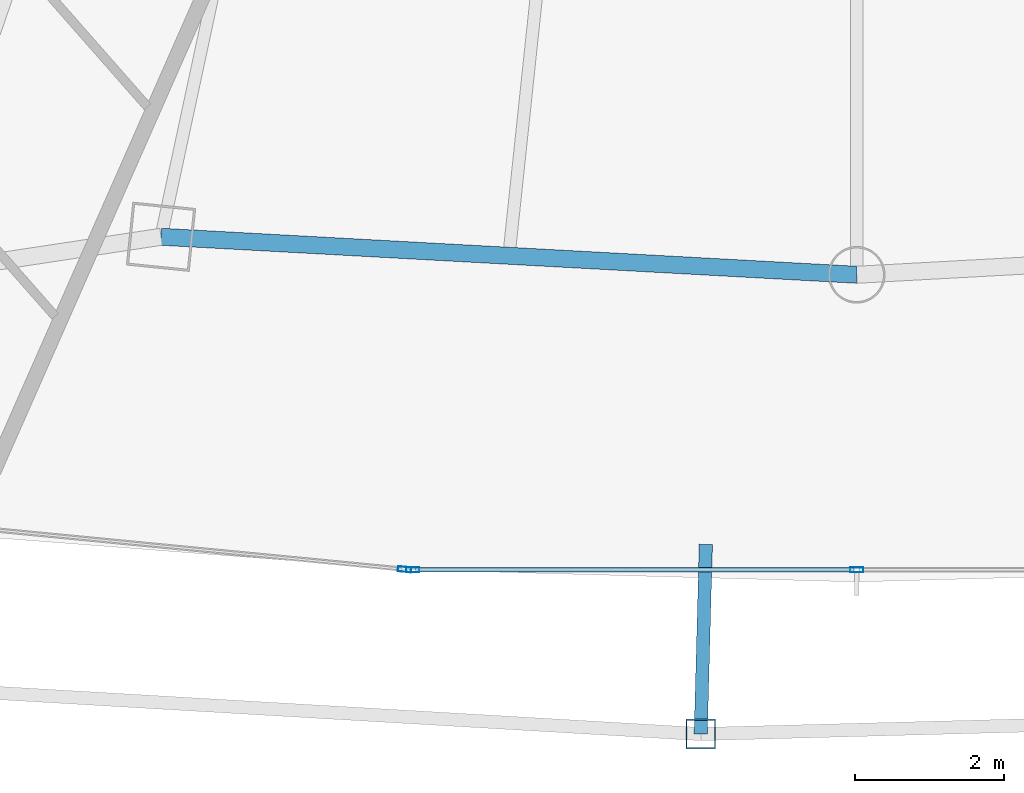
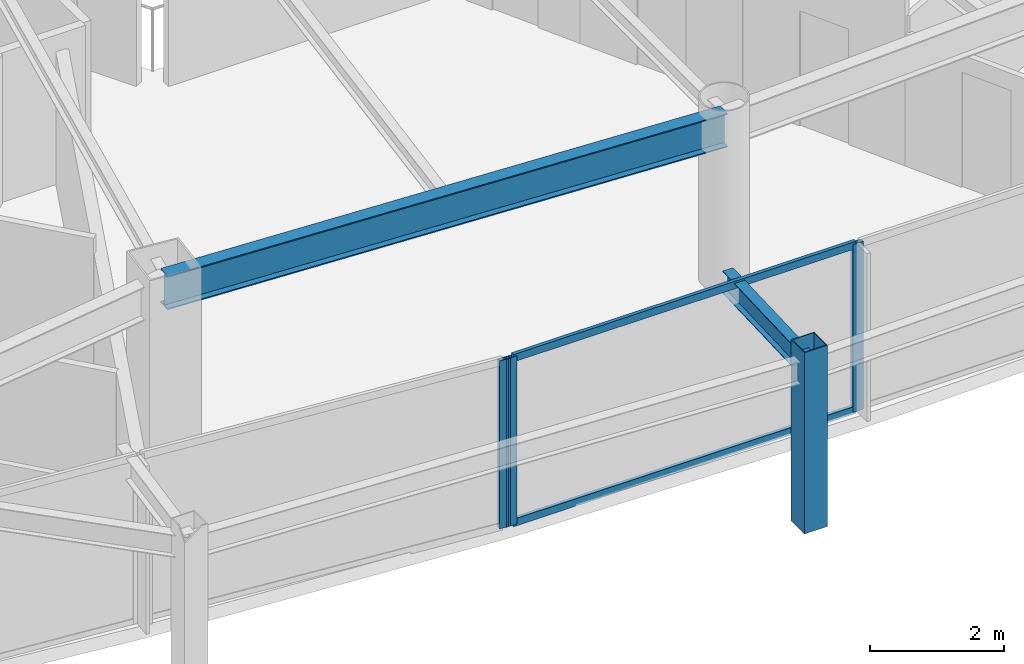
# One storey, part 7 of 31: 6 members, 2 beams, 2 elements without a shape of their own.
"""IFC4 building model written with IfcOpenShell, lengths in metres."""

from ifc_helpers import new_model, si_unit, direction, frame, origin, origin_2d, place, context, subcontext, project, spatial, hollow_rectangle, i_section, extrude, material, layer, layer_set, material_profile, profile_set, type_object, element, aggregate, save


model = new_model("IFC4")

# Units and contexts
model_context = context("Model", 3, precision=1e-05, world=origin(), true_north=direction((0.0, 1.0)))
body_context = subcontext(model_context, "Body", "Model", "MODEL_VIEW")
ifc_project = project(units=[si_unit("LENGTHUNIT", "METRE"), si_unit("AREAUNIT", "SQUARE_METRE"), si_unit("VOLUMEUNIT", "CUBIC_METRE"), si_unit("PLANEANGLEUNIT", "RADIAN"), si_unit("MASSUNIT", "GRAM", prefix="KILO")], contexts=[model_context])

# Site, building, storey
site_placement = place(None, origin())
site = spatial("IfcSite", under=ifc_project, at=site_placement, CompositionType="ELEMENT")
building_placement = place(site_placement, origin())
building = spatial("IfcBuilding", under=site, at=building_placement, Name="Orvanel Arch Residences", CompositionType="ELEMENT")
storey_placement = place(building_placement, frame((0.0, 0.0, 110.0)))
storey = spatial("IfcBuildingStorey", under=building, at=storey_placement, Name="L30", CompositionType="ELEMENT", Elevation=110.0)

# Curtain wall, member
ifc_material_1 = material(Name="Bronze-anodised aluminium AA6063-T6", Category="aluminium")
ifc_layer = layer(ifc_material_1, 0.179931640625)
ifc_layer_set = layer_set([ifc_layer], Name="Bronze-anodised aluminium AA6063-T6")
curtain_wall_type = type_object("IfcCurtainWallType", Name="CW3-MID-SYS", PredefinedType="NOTDEFINED", material=ifc_layer_set)
curtain_wall_1_placement = place(storey_placement, origin())
curtain_wall_1 = element("IfcCurtainWall", 1, at=curtain_wall_1_placement, inside=storey, type_object=curtain_wall_type, Name="L30 CW3-MID-SYS Unitised Curtain Wall", PredefinedType="NOTDEFINED")
ifc_material_profile_1 = material_profile(ifc_material_1, hollow_rectangle(XDim=0.070068359375, YDim=0.179931640625, WallThickness=0.00439453125, at=origin_2d()), Name="ALU180x70x4.5")
ifc_profile_set_1 = profile_set([ifc_material_profile_1], Name="Bronze-anodised aluminium AA6063-T6")
member_type_1 = type_object("IfcMemberType", Name="MUL-180x70", PredefinedType="MULLION", material=ifc_profile_set_1)
member_1_placement = place(storey_placement, frame((26.922119140625, 2.88427734375, 0.0), z_axis=(0.0, 0.0, 1.0), x_axis=(0.095998315385, 0.995381496434, 0.0)))
member_1 = element("IfcMember", 2, at=member_1_placement, type_object=member_type_1, Name="CW-S3 mullion 3", PredefinedType="MULLION", context=body_context, shape_type="SweptSolid", body=[
    extrude(hollow_rectangle(XDim=0.070068359375, YDim=0.179931640625, WallThickness=0.00439453125, at=origin_2d()), origin(), (0.0, 0.0, 1.0), 3.06005859375),
])
aggregate(curtain_wall_1, [member_1])

# Curtain wall, members
curtain_wall_2_placement = place(storey_placement, origin())
curtain_wall_2 = element("IfcCurtainWall", 3, at=curtain_wall_2_placement, inside=storey, type_object=curtain_wall_type, Name="L30 CW3-MID-SYS Unitised Curtain Wall", PredefinedType="NOTDEFINED")
member_2_placement = place(storey_placement, frame((27.031982421875, 2.87890625, 0.0), z_axis=(0.0, 0.0, 1.0), x_axis=(0.0, 1.0, 0.0)))
member_2 = element("IfcMember", 4, at=member_2_placement, type_object=member_type_1, Name="CW-S3 mullion 1", PredefinedType="MULLION", context=body_context, shape_type="SweptSolid", body=[
    extrude(hollow_rectangle(XDim=0.070068359375, YDim=0.179931640625, WallThickness=0.00439453125, at=origin_2d()), origin(), (0.0, 0.0, 1.0), 3.06005859375),
])
member_3_placement = place(storey_placement, frame((33.0, 2.87890625, 0.0), z_axis=(0.0, 0.0, 1.0), x_axis=(0.0, 1.0, 0.0)))
member_3 = element("IfcMember", 5, at=member_3_placement, type_object=member_type_1, Name="CW-S3 mullion 2", PredefinedType="MULLION", context=body_context, shape_type="SweptSolid", body=[
    extrude(hollow_rectangle(XDim=0.070068359375, YDim=0.179931640625, WallThickness=0.00439453125, at=origin_2d()), origin(), (0.0, 0.0, 1.0), 3.06005859375),
])

# Beams
ifc_material_2 = material(Name="Structural steel AS/NZS 3679.1 Grade 300 (300 MPa)", Category="steel")
ifc_material_profile_2 = material_profile(ifc_material_2, i_section(OverallWidth=0.177978515625, OverallDepth=0.406005859375, WebThickness=0.0078125, FlangeThickness=0.0126953125, at=origin_2d()), Name="410UB59.7")
ifc_profile_set_2 = profile_set([ifc_material_profile_2], Name="Structural steel AS/NZS 3679.1 Grade 300 (300 MPa)")
beam_type_1 = type_object("IfcBeamType", Name="OB-410UB-EXT", PredefinedType="SPANDREL", material=ifc_profile_set_2)
beam_1_placement = place(storey_placement, frame((30.971923828125, 3.219970703125, 2.85693359375), z_axis=(-0.026999061336, -0.999635458898, 0.0), x_axis=(0.999635458898, -0.026999061336, 0.0)))
element("IfcBeam", 6, at=beam_1_placement, inside=storey, type_object=beam_type_1, Name="L30 Outer Frame Radial Tie Beam 06", PredefinedType="SPANDREL", context=body_context, shape_type="SweptSolid", body=[
    extrude(i_section(OverallWidth=0.177978515625, OverallDepth=0.406005859375, WebThickness=0.0078125, FlangeThickness=0.0126953125, at=origin_2d()), origin(), (0.0, 0.0, 1.0), 2.550048828125),
])
ifc_material_profile_3 = material_profile(ifc_material_2, i_section(OverallWidth=0.22900390625, OverallDepth=0.612060546875, WebThickness=0.011962890625, FlangeThickness=0.01953125, at=origin_2d()), Name="610UB125")
ifc_profile_set_3 = profile_set([ifc_material_profile_3], Name="Structural steel AS/NZS 3679.1 Grade 300 (300 MPa)")
beam_type_2 = type_object("IfcBeamType", Name="SP-610UB", PredefinedType="SPANDREL", material=ifc_profile_set_3)
beam_2_placement = place(storey_placement, frame((23.64892578125, 7.35498046875, 2.75390625), z_axis=(0.998510315598, -0.054563262768, 0.0), x_axis=(0.054563262768, 0.998510315598, 0.0)))
element("IfcBeam", 7, at=beam_2_placement, inside=storey, type_object=beam_type_2, Name="L30 Perimeter Spandrel Beam 05", PredefinedType="SPANDREL", context=body_context, shape_type="SweptSolid", body=[
    extrude(i_section(OverallWidth=0.22900390625, OverallDepth=0.612060546875, WebThickness=0.011962890625, FlangeThickness=0.01953125, at=origin_2d()), origin(), (0.0, 0.0, 1.0), 9.364990234375),
])

# Member
ifc_material_3 = material(Name="Structural steel AS/NZS 1163 C450L0 (Grade 450)", Category="steel")
ifc_material_profile_4 = material_profile(ifc_material_3, hollow_rectangle(XDim=0.39990234375, YDim=0.39990234375, WallThickness=0.01611328125, at=origin_2d()), Name="SHS400x400x16")
ifc_profile_set_4 = profile_set([ifc_material_profile_4], Name="Structural steel AS/NZS 1163 C450L0 (Grade 450)")
member_type_2 = type_object("IfcMemberType", Name="ST-400SHS-EXT", PredefinedType="STRUT", material=ifc_profile_set_4)
member_4_placement = place(storey_placement, frame((30.903076171875, 0.6708984375, 0.0), z_axis=(0.0, 0.0, 1.0), x_axis=(1.0, 0.0, 0.0)))
element("IfcMember", 8, at=member_4_placement, inside=storey, type_object=member_type_2, Name="L30 Outer Perimeter Frame Post 06", PredefinedType="STRUT", context=body_context, shape_type="SweptSolid", body=[
    extrude(hollow_rectangle(XDim=0.39990234375, YDim=0.39990234375, WallThickness=0.01611328125, at=origin_2d()), origin(), (0.0, 0.0, 1.0), 3.300048828125),
])

ifc_material_profile_5 = material_profile(ifc_material_1, hollow_rectangle(XDim=0.06005859375, YDim=0.135009765625, WallThickness=0.00390625, at=origin_2d()), Name="ALU135x60x4")
ifc_profile_set_5 = profile_set([ifc_material_profile_5], Name="Bronze-anodised aluminium AA6063-T6")
member_type_3 = type_object("IfcMemberType", Name="TRN-135x60", PredefinedType="USERDEFINED", material=ifc_profile_set_5)
member_5_placement = place(storey_placement, frame((27.06689453125, 2.87890625, 0.030029296875), z_axis=(1.0, 0.0, 0.0), x_axis=(0.0, 1.0, 0.0)))
member_5 = element("IfcMember", 9, at=member_5_placement, type_object=member_type_3, Name="CW-S3 transom 1.1", ObjectType="TRANSOM", PredefinedType="USERDEFINED", context=body_context, shape_type="SweptSolid", body=[
    extrude(hollow_rectangle(XDim=0.06005859375, YDim=0.135009765625, WallThickness=0.00390625, at=origin_2d()), origin(), (0.0, 0.0, 1.0), 5.898193359375),
])

member_6_placement = place(storey_placement, frame((27.06689453125, 2.87890625, 3.030029296875), z_axis=(1.0, 0.0, 0.0), x_axis=(0.0, 1.0, 0.0)))
member_6 = element("IfcMember", 10, at=member_6_placement, type_object=member_type_3, Name="CW-S3 transom 1.2", ObjectType="TRANSOM", PredefinedType="USERDEFINED", context=body_context, shape_type="SweptSolid", body=[
    extrude(hollow_rectangle(XDim=0.06005859375, YDim=0.135009765625, WallThickness=0.00390625, at=origin_2d()), origin(), (0.0, 0.0, 1.0), 5.898193359375),
])

aggregate(curtain_wall_2, [member_2, member_3, member_5, member_6])

save(model, "model.ifc")
